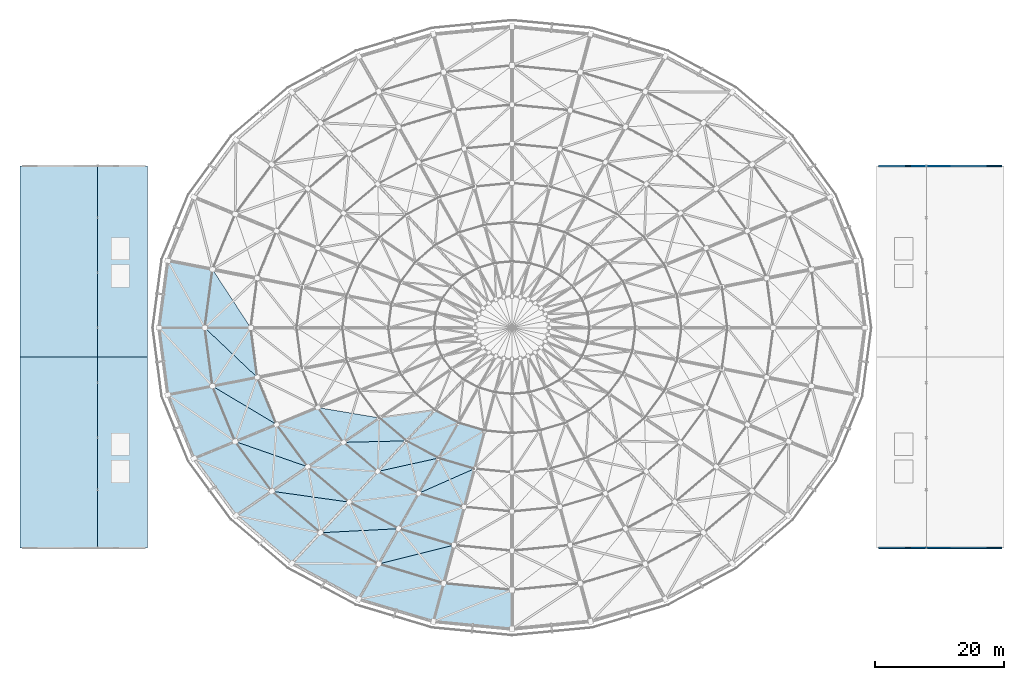
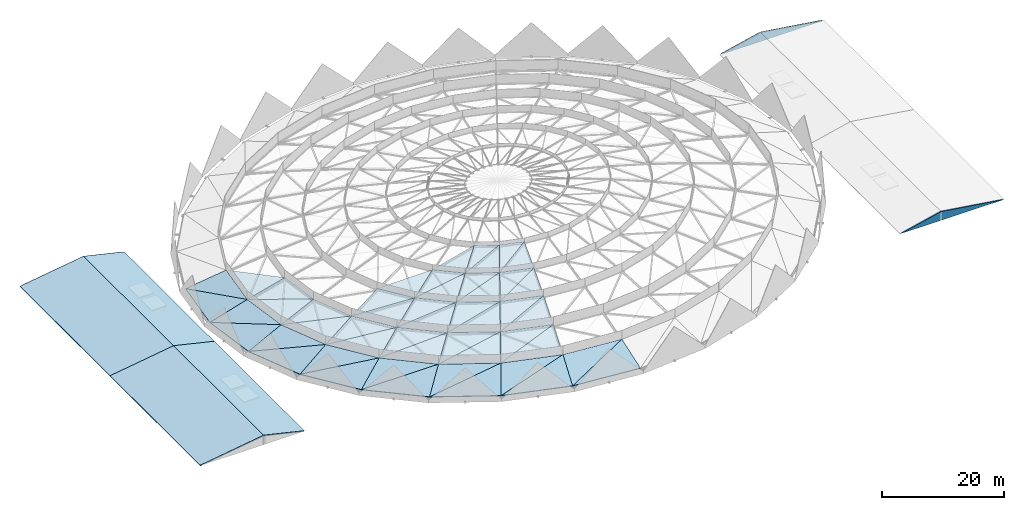
# One storey, part 18 of 27: 53 roofs, 2 walls.
"""IFC4 building model written with IfcOpenShell, lengths in metres."""

import ifcopenshell
import ifcopenshell.guid

model = None  # the IFC model being written
_history = None  # IfcOwnerHistory: only IFC2X3 demands one
_inside = {}  # id of a spatial element -> (the spatial element, [elements in it])
_under = {}  # id of a project, library or spatial element -> (it, [spatial elements below it])
_declared = {}  # id of a project -> (the project, [libraries it declares])
_typed = {}  # id of a type object -> (the type object, [elements of that type])
_made_of = {}  # id of a material, layer set ... -> (it, [elements and type objects made of it])


def new_model(schema):
    """Start an empty IFC model of exactly this schema.

    Asked for "IFC4X3", IfcOpenShell would pick the latest addendum, in which some entities
    have other attributes; the version numbers below select the first issue.
    IFC2X3 requires an IfcOwnerHistory on every rooted entity: one is made here for all.
    """
    global model, _history
    if schema == "IFC4X3":
        model = ifcopenshell.file(schema_version=(4, 3, 0, 0))
    else:
        model = ifcopenshell.file(schema=schema)
    _inside.clear()
    _under.clear()
    _declared.clear()
    _typed.clear()
    _made_of.clear()
    _history = None
    if model.schema == "IFC2X3":
        org = make("IfcOrganization", Name="unknown")
        user = make(
            "IfcPersonAndOrganization",
            ThePerson=make("IfcPerson", FamilyName="unknown"),
            TheOrganization=org,
        )
        app = make(
            "IfcApplication",
            ApplicationDeveloper=org,
            Version="unknown",
            ApplicationFullName="unknown",
            ApplicationIdentifier="unknown",
        )
        _history = make(
            "IfcOwnerHistory",
            OwningUser=user,
            OwningApplication=app,
            ChangeAction="ADDED",
            CreationDate=0,
        )
    return model


def make(cls, **values):
    """One entity of the class cls with the attributes given. An attribute that is None is left unset."""
    return model.create_entity(
        cls, **{name: value for name, value in values.items() if value is not None}
    )


def rooted(cls, **values):
    """An entity with a GlobalId (a new one), such as an element, a storey or a relation."""
    return make(cls, GlobalId=ifcopenshell.guid.new(), OwnerHistory=_history, **values)


def si_unit(unit_type, name, prefix=None):
    """IfcSIUnit, for example si_unit("LENGTHUNIT", "METRE", prefix="MILLI")."""
    return make("IfcSIUnit", UnitType=unit_type, Prefix=prefix, Name=name)


def assignment(units):
    """IfcUnitAssignment: the units of a project."""
    return None if units is None else make("IfcUnitAssignment", Units=units)


def point(xyz):
    """IfcCartesianPoint."""
    return None if xyz is None else make("IfcCartesianPoint", Coordinates=xyz)


def direction(xyz):
    """IfcDirection."""
    return None if xyz is None else make("IfcDirection", DirectionRatios=xyz)


def frame(location, z_axis=None, x_axis=None):
    """IfcAxis2Placement3D, a coordinate frame: its origin and axes. An axis left out is left unset."""
    return make(
        "IfcAxis2Placement3D",
        Location=point(location),
        Axis=direction(z_axis),
        RefDirection=direction(x_axis),
    )


def origin():
    """The frame at (0, 0, 0) with its axes left unset."""
    return frame((0.0, 0.0, 0.0))


def place(relative_to, where):
    """IfcLocalPlacement: puts the frame where relative to a parent placement (None: the world)."""
    return make(
        "IfcLocalPlacement", PlacementRelTo=relative_to, RelativePlacement=where
    )


def context(
    kind, dimensions, precision=None, world=None, true_north=None, identifier=None
):
    """IfcGeometricRepresentationContext, for example the 3D "Model" context."""
    return make(
        "IfcGeometricRepresentationContext",
        ContextIdentifier=identifier,
        ContextType=kind,
        CoordinateSpaceDimension=dimensions,
        Precision=precision,
        WorldCoordinateSystem=world,
        TrueNorth=true_north,
    )


def subcontext(parent, identifier, kind, view, scale=None):
    """IfcGeometricRepresentationSubContext, for example "Body" below "Model"."""
    return make(
        "IfcGeometricRepresentationSubContext",
        ContextIdentifier=identifier,
        ContextType=kind,
        ParentContext=parent,
        TargetScale=scale,
        TargetView=view,
    )


def project(units=None, contexts=None):
    """IfcProject with its units and contexts."""
    return rooted(
        "IfcProject",
        Name="project",
        RepresentationContexts=contexts,
        UnitsInContext=assignment(units),
    )


def spatial(cls, under=None, at=None, **own):
    """A site, building, storey or space (cls), placed at a placement, below another one or the project."""
    s = rooted(cls, ObjectPlacement=at, **own)
    if under is not None:
        _under.setdefault(under.id(), (under, []))[1].append(s)
    return s


def polyline(points):
    """IfcPolyline through the points."""
    return make("IfcPolyline", Points=[point(p) for p in points])


def outline(outer, holes=None, kind="AREA"):
    """IfcArbitraryClosedProfileDef: a profile drawn as a closed curve; with holes, ...WithVoids."""
    if holes is None:
        return make("IfcArbitraryClosedProfileDef", ProfileType=kind, OuterCurve=outer)
    return make(
        "IfcArbitraryProfileDefWithVoids",
        ProfileType=kind,
        OuterCurve=outer,
        InnerCurves=holes,
    )


def extrude(swept, where, along, depth):
    """IfcExtrudedAreaSolid: the profile swept, set in the frame where, extruded along a direction by depth."""
    return make(
        "IfcExtrudedAreaSolid",
        SweptArea=swept,
        Position=where,
        ExtrudedDirection=direction(along),
        Depth=depth,
    )


def shape(context_of_items, identifier, shape_type, items):
    """IfcShapeRepresentation: the items that make up one representation, for example the "Body"."""
    return make(
        "IfcShapeRepresentation",
        ContextOfItems=context_of_items,
        RepresentationIdentifier=identifier,
        RepresentationType=shape_type,
        Items=items,
    )


def material(Name=None, Category=None):
    """IfcMaterial."""
    return make("IfcMaterial", Name=Name, Category=Category)


def layer(
    of_material, thickness, ventilated=None, Name=None, Category=None, Priority=None
):
    """IfcMaterialLayer: one layer of a wall or slab, of a material (None: an air gap)."""
    return make(
        "IfcMaterialLayer",
        Material=of_material,
        LayerThickness=thickness,
        IsVentilated=ventilated,
        Name=Name,
        Category=Category,
        Priority=Priority,
    )


def layer_set(layers, Name=None):
    """IfcMaterialLayerSet."""
    return make("IfcMaterialLayerSet", MaterialLayers=layers, LayerSetName=Name)


def made_of(thing, what):
    """Note that an element or type object is made of a material, layer set ...; save() writes the relation."""
    if what is not None:
        _made_of.setdefault(what.id(), (what, []))[1].append(thing)
    return thing


def type_object(cls, material=None, **own):
    """A type object (cls), such as IfcWallType, which elements share."""
    return made_of(rooted(cls, **own), material)


def element(
    cls,
    number,
    at=None,
    inside=None,
    cuts=None,
    type_object=None,
    material=None,
    context=None,
    identifier="Body",
    shape_type=None,
    held_by="IfcProductDefinitionShape",
    body=None,
    shapes=None,
    **own,
):
    """One element of the class cls, such as IfcWall. Its Tag is "e" and its number.

    at: its placement. inside: the storey or other place that contains it. cuts: it is an
    opening in that element (IfcRelVoidsElement). A single representation is given by context,
    identifier, shape_type and body (its items); several are given by shapes. held_by: the class
    of the entity that holds the representations. save() writes the other relations.
    """
    e = rooted(cls, Tag="e%d" % number, ObjectPlacement=at, **own)
    if body is not None:
        shapes = [shape(context, identifier, shape_type, body)]
    if shapes is not None:
        e.Representation = make(held_by, Representations=shapes)
    if inside is not None:
        _inside.setdefault(inside.id(), (inside, []))[1].append(e)
    if cuts is not None:
        rooted(
            "IfcRelVoidsElement", RelatingBuildingElement=cuts, RelatedOpeningElement=e
        )
    if type_object is not None:
        _typed.setdefault(type_object.id(), (type_object, []))[1].append(e)
    return made_of(e, material)


def aggregate(whole, parts):
    """IfcRelAggregates: a whole, such as a stair, and the parts it consists of."""
    return rooted("IfcRelAggregates", RelatingObject=whole, RelatedObjects=parts)


def save(model, path):
    """Write the relations noted so far, then the file.

    IfcRelAggregates (storeys below a building ...), IfcRelContainedInSpatialStructure (elements
    in a storey), IfcRelDefinesByType, IfcRelAssociatesMaterial and IfcRelDeclares: one each for
    every whole, place, type object, material and project.
    """
    for whole, parts in _under.values():
        aggregate(whole, parts)
    for where, things in _inside.values():
        rooted(
            "IfcRelContainedInSpatialStructure",
            RelatedElements=things,
            RelatingStructure=where,
        )
    for kind, things in _typed.values():
        rooted("IfcRelDefinesByType", RelatedObjects=things, RelatingType=kind)
    for what, things in _made_of.values():
        rooted("IfcRelAssociatesMaterial", RelatedObjects=things, RelatingMaterial=what)
    for by, libraries in _declared.values():
        rooted("IfcRelDeclares", RelatingContext=by, RelatedDefinitions=libraries)
    model.write(path)


model = new_model("IFC4")

# Units and contexts
model_context = context("Model", 3, precision=1e-05, world=origin(), true_north=direction((0.0, 1.0)))
body_context = subcontext(model_context, "Body", "Model", "MODEL_VIEW")
ifc_project = project(units=[si_unit("LENGTHUNIT", "METRE"), si_unit("AREAUNIT", "SQUARE_METRE"), si_unit("VOLUMEUNIT", "CUBIC_METRE"), si_unit("PLANEANGLEUNIT", "RADIAN"), si_unit("MASSUNIT", "GRAM", prefix="KILO")], contexts=[model_context])

# Site, building, storey
site_placement = place(None, origin())
site = spatial("IfcSite", under=ifc_project, at=site_placement, CompositionType="ELEMENT")
building_placement = place(site_placement, origin())
building = spatial("IfcBuilding", under=site, at=building_placement, Name="Cuetzalor Civic Arena", CompositionType="ELEMENT")
storey_placement = place(building_placement, frame((0.0, 0.0, 31.800048828125)))
storey = spatial("IfcBuildingStorey", under=building, at=storey_placement, Name="Roof", CompositionType="ELEMENT", Elevation=31.800048828125)

# Walls
ifc_material_1 = material(Name="Insulated bronze aluminium panel wall", Category="aluminium")
ifc_layer_1 = layer(ifc_material_1, 0.260009765625)
ifc_layer_set_1 = layer_set([ifc_layer_1], Name="Insulated bronze aluminium panel wall")
wall_type = type_object("IfcWallType", Name="MediaClerestoryWall_260", PredefinedType="SOLIDWALL", material=ifc_layer_set_1)
wall_1_placement = place(storey_placement, frame((75.64990234375, -34.0, 0.0), z_axis=(0.0, 0.0, 1.0), x_axis=(-1.0, 0.0, 0.0)))
element("IfcWall", 1, at=wall_1_placement, inside=storey, type_object=wall_type, Name="V4E Sloped Zinc Roof Gable Wall S", PredefinedType="SOLIDWALL", context=body_context, shape_type="SweptSolid", body=[
    extrude(outline(polyline([(0.0, 0.0), (19.0, 0.0), (19.0, 0.050048828125), (11.64990234375, 1.75), (0.0, 0.050048828125), (0.0, 0.0)])), frame((0.0, 0.1298828125, 0.0), z_axis=(0.0, -1.0, 0.0), x_axis=(1.0, 0.0, 0.0)), (0.0, 0.0, 1.0), 0.260009765625),
])
wall_2_placement = place(storey_placement, frame((56.64990234375, 25.0, 0.0), z_axis=(0.0, 0.0, 1.0), x_axis=(1.0, 0.0, 0.0)))
element("IfcWall", 2, at=wall_2_placement, inside=storey, type_object=wall_type, Name="V4E Sloped Zinc Roof Gable Wall N", PredefinedType="SOLIDWALL", context=body_context, shape_type="SweptSolid", body=[
    extrude(outline(polyline([(0.0, 0.0), (19.0, 0.0), (19.0, 0.050048828125), (7.35009765625, 1.75), (0.0, 0.050048828125), (0.0, 0.0)])), frame((0.0, 0.1298828125, 0.0), z_axis=(0.0, -1.0, 0.0), x_axis=(1.0, 0.0, 0.0)), (0.0, 0.0, 1.0), 0.260009765625),
])

# Roofs
ifc_material_2 = material(Name="Standing-seam acoustic zinc and steel deck", Category="steel")
ifc_layer_2 = layer(ifc_material_2, 0.179931640625)
ifc_layer_set_2 = layer_set([ifc_layer_2], Name="Standing-seam acoustic zinc and steel deck")
roof_type_1 = type_object("IfcRoofType", Name="ArenaDomeRoof_StandingSeam", PredefinedType="DOME_ROOF", material=ifc_layer_set_2)
roof_1_placement = place(storey_placement, frame((-53.182373046875, 10.3583984375, 0.4150390625), z_axis=(-0.285083534376, 0.037641132261, 0.957763292045), x_axis=(-0.13089937041, -0.99139566008, 0.0)))
element("IfcRoof", 3, at=roof_1_placement, inside=storey, type_object=roof_type_1, Name="Arena Space-Frame Dome Shell Panel R1-S14A", PredefinedType="DOME_ROOF", context=body_context, shape_type="SweptSolid", body=[
    extrude(outline(polyline([(0.0, 0.0), (10.448299155011798, 2.220446049250313e-16), (9.52001936685034, 7.340576385085506), (0.0, 0.0)])), origin(), (0.0, 0.0, -1.0), 0.179931640625),
])
roof_2_placement = place(storey_placement, frame((-53.182373046875, 10.3583984375, 0.4150390625), z_axis=(-0.285080326458, 0.037643083852, 0.957764170193), x_axis=(0.476139356121, -0.861660934165, 0.175589715207)))
element("IfcRoof", 4, at=roof_2_placement, inside=storey, type_object=roof_type_1, Name="Arena Space-Frame Dome Shell Panel R1-S14B", PredefinedType="DOME_ROOF", context=body_context, shape_type="SweptSolid", body=[
    extrude(outline(polyline([(0.0, 0.0), (12.021432128098567, -1.1102230246251565e-16), (4.822964066533819, 5.550593927323634), (0.0, 0.0)])), origin(), (0.0, 0.0, -1.0), 0.179931640625),
])
roof_3_placement = place(storey_placement, frame((-54.550048828125, 0.0, 0.4150390625), z_axis=(-0.285080765685, -0.037640766696, 0.957764130524), x_axis=(0.13089937041, -0.99139566008, 0.0)))
element("IfcRoof", 5, at=roof_3_placement, inside=storey, type_object=roof_type_1, Name="Arena Space-Frame Dome Shell Panel R1-S15A", PredefinedType="DOME_ROOF", context=body_context, shape_type="SweptSolid", body=[
    extrude(outline(polyline([(0.0, 0.0), (10.448299155011798, 2.220446049250313e-16), (10.018221227679604, 7.340647676434287), (0.0, 0.0)])), origin(), (0.0, 0.0, -1.0), 0.179931640625),
])
roof_4_placement = place(storey_placement, frame((-54.550048828125, 0.0, 0.4150390625), z_axis=(-0.285083508888, -0.037643504072, 0.957763206415), x_axis=(0.666801092619, -0.72559659004, 0.169958499065)))
element("IfcRoof", 6, at=roof_4_placement, inside=storey, type_object=roof_type_1, Name="Arena Space-Frame Dome Shell Panel R1-S15B", PredefinedType="DOME_ROOF", context=body_context, shape_type="SweptSolid", body=[
    extrude(outline(polyline([(0.0, 0.0), (12.419736908496503, 1.1102230246251565e-16), (5.087410283256249, 5.372524698891819), (0.0, 0.0)])), origin(), (0.0, 0.0, -1.0), 0.179931640625),
])
roof_5_placement = place(storey_placement, frame((-53.182373046875, -10.3583984375, 0.4150390625), z_axis=(-0.270382293765, -0.11087015892, 0.956347856734), x_axis=(0.379392590278, -0.925235787485, 0.0)))
element("IfcRoof", 7, at=roof_5_placement, inside=storey, type_object=roof_type_1, Name="Arena Space-Frame Dome Shell Panel R1-S16A", PredefinedType="DOME_ROOF", context=body_context, shape_type="SweptSolid", body=[
    extrude(outline(polyline([(0.0, 0.0), (10.63390253661406, 0.0), (10.628573578058255, 7.223196970066199), (0.0, 0.0)])), origin(), (0.0, 0.0, -1.0), 0.179931640625),
])
roof_6_placement = place(storey_placement, frame((-53.182373046875, -10.3583984375, 0.4150390625), z_axis=(-0.270383939537, -0.110872761722, 0.956347089685), x_axis=(0.811147041502, -0.561301745858, 0.164258415796)))
element("IfcRoof", 8, at=roof_6_placement, inside=storey, type_object=roof_type_1, Name="Arena Space-Frame Dome Shell Panel R1-S16B", PredefinedType="DOME_ROOF", context=body_context, shape_type="SweptSolid", body=[
    extrude(outline(polyline([(0.0, 0.0), (12.85072569050369, 9.992007221626409e-16), (5.198952856713812, 5.200092742133137), (0.0, 0.0)])), origin(), (0.0, 0.0, -1.0), 0.179931640625),
])
roof_7_placement = place(storey_placement, frame((-49.14794921875, -20.197265625, 0.4150390625), z_axis=(-0.241912068226, -0.178128437048, 0.953807533605), x_axis=(0.59293459696, -0.805250621687, 0.0)))
element("IfcRoof", 9, at=roof_7_placement, inside=storey, type_object=roof_type_1, Name="Arena Space-Frame Dome Shell Panel R1-S17A", PredefinedType="DOME_ROOF", context=body_context, shape_type="SweptSolid", body=[
    extrude(outline(polyline([(0.0, 0.0), (10.960776232010911, 0.0), (11.210093026302204, 7.026334440148478), (0.0, 0.0)])), origin(), (0.0, 0.0, -1.0), 0.179931640625),
])
roof_8_placement = place(storey_placement, frame((-49.14794921875, -20.197265625, 0.4150390625), z_axis=(-0.241908309468, -0.178118288843, 0.953810382094), x_axis=(0.910307292041, -0.38194892217, 0.159548283945)))
element("IfcRoof", 10, at=roof_8_placement, inside=storey, type_object=roof_type_1, Name="Arena Space-Frame Dome Shell Panel R1-S17B", PredefinedType="DOME_ROOF", context=body_context, shape_type="SweptSolid", body=[
    extrude(outline(polyline([(0.0, 0.0), (13.230100578724482, -3.3306690738754696e-16), (5.150206529553152, 5.064580492905693), (0.0, 0.0)])), origin(), (0.0, 0.0, -1.0), 0.179931640625),
])
roof_9_placement = place(storey_placement, frame((-42.64892578125, -29.0234375, 0.4150390625), z_axis=(-0.201359462712, -0.23596092979, 0.950671765853), x_axis=(0.760676878001, -0.649130716632, 0.0)))
element("IfcRoof", 11, at=roof_9_placement, inside=storey, type_object=roof_type_1, Name="Arena Space-Frame Dome Shell Panel R1-S18A", PredefinedType="DOME_ROOF", context=body_context, shape_type="SweptSolid", body=[
    extrude(outline(polyline([(0.0, 0.0), (11.35495428042528, 8.881784197001252e-16), (11.647218630977434, 6.804800539375681), (0.0, 0.0)])), origin(), (0.0, 0.0, -1.0), 0.179931640625),
])
roof_10_placement = place(storey_placement, frame((-42.64892578125, -29.0234375, 0.4150390625), z_axis=(-0.20136015288, -0.23596533563, 0.950670526109), x_axis=(0.968101941657, -0.195683645414, 0.156481760844)))
element("IfcRoof", 12, at=roof_10_placement, inside=storey, type_object=roof_type_1, Name="Arena Space-Frame Dome Shell Panel R1-S18B", PredefinedType="DOME_ROOF", context=body_context, shape_type="SweptSolid", body=[
    extrude(outline(polyline([(0.0, 0.0), (13.489366635186226, 7.771561172376096e-16), (4.959580406022386, 4.983382056889791), (0.0, 0.0)])), origin(), (0.0, 0.0, -1.0), 0.179931640625),
])
roof_11_placement = place(storey_placement, frame((-34.011474609375, -36.394287109375, 0.4150390625), z_axis=(-0.151006616428, -0.281625079459, 0.947567578811), x_axis=(0.881302704338, -0.472552159371, 0.0)))
element("IfcRoof", 13, at=roof_11_placement, inside=storey, type_object=roof_type_1, Name="Arena Space-Frame Dome Shell Panel R1-S19A", PredefinedType="DOME_ROOF", context=body_context, shape_type="SweptSolid", body=[
    extrude(outline(polyline([(0.0, 0.0), (11.736055644911866, 0.0), (11.871199836207012, 6.605551133073011), (0.0, 0.0)])), origin(), (0.0, 0.0, -1.0), 0.179931640625),
])
roof_12_placement = place(storey_placement, frame((-34.011474609375, -36.394287109375, 0.4150390625), z_axis=(-0.151006294052, -0.28163338629, 0.947565161286), x_axis=(0.987831194569, -0.006882901825, 0.155377465221)))
element("IfcRoof", 14, at=roof_12_placement, inside=storey, type_object=roof_type_1, Name="Arena Space-Frame Dome Shell Panel R1-S19B", PredefinedType="DOME_ROOF", context=body_context, shape_type="SweptSolid", body=[
    extrude(outline(polyline([(0.0, 0.0), (13.585237992865768, 0.0), (4.663237444988494, 4.96436756928296), (0.0, 0.0)])), origin(), (0.0, 0.0, -1.0), 0.179931640625),
])
roof_13_placement = place(storey_placement, frame((-23.66845703125, -41.940185546875, 0.4150390625), z_axis=(-0.093496868588, -0.313139253442, 0.945093722081), x_axis=(0.95820017042, -0.286098642791, 0.0)))
element("IfcRoof", 15, at=roof_13_placement, inside=storey, type_object=roof_type_1, Name="Arena Space-Frame Dome Shell Panel R1-S20A", PredefinedType="DOME_ROOF", context=body_context, shape_type="SweptSolid", body=[
    extrude(outline(polyline([(0.0, 0.0), (12.033006936139385, 4.440892098500626e-16), (11.857048439649862, 6.459129846469862), (0.0, 0.0)])), origin(), (0.0, 0.0, -1.0), 0.179931640625),
])
roof_14_placement = place(storey_placement, frame((-23.66845703125, -41.940185546875, 0.4150390625), z_axis=(-0.093501172981, -0.313121093345, 0.945099313064), x_axis=(0.970796636078, 0.181972384904, 0.156332794106)))
element("IfcRoof", 16, at=roof_14_placement, inside=storey, type_object=roof_type_1, Name="Arena Space-Frame Dome Shell Panel R1-S20B", PredefinedType="DOME_ROOF", context=body_context, shape_type="SweptSolid", body=[
    extrude(outline(polyline([(0.0, 0.0), (13.502220412723272, -4.440892098500626e-16), (4.309226712494882, 5.008206751363556), (0.0, 0.0)])), origin(), (0.0, 0.0, -1.0), 0.179931640625),
])
roof_15_placement = place(storey_placement, frame((-12.138427734375, -45.3828125, 0.4150390625), z_axis=(-0.031654643714, -0.329185783482, 0.943734445427), x_axis=(0.995408405496, -0.095718891906, 0.0)))
element("IfcRoof", 17, at=roof_15_placement, inside=storey, type_object=roof_type_1, Name="Arena Space-Frame Dome Shell Panel R1-S21A", PredefinedType="DOME_ROOF", context=body_context, shape_type="SweptSolid", body=[
    extrude(outline(polyline([(0.0, 0.0), (12.194419564224404, -2.220446049250313e-16), (11.615175381198226, 6.382862895541695), (0.0, 0.0)])), origin(), (0.0, 0.0, -1.0), 0.179931640625),
])
roof_16_placement = place(storey_placement, frame((-12.138427734375, -45.3828125, 0.4150390625), z_axis=(-0.031651400381, -0.329192828776, 0.943732096697), x_axis=(0.915871104292, 0.368529481938, 0.159267514787)))
element("IfcRoof", 18, at=roof_16_placement, inside=storey, type_object=roof_type_1, Name="Arena Space-Frame Dome Shell Panel R1-S21B", PredefinedType="DOME_ROOF", context=body_context, shape_type="SweptSolid", body=[
    extrude(outline(polyline([(0.0, 0.0), (13.253423628605415, -1.1102230246251565e-16), (3.955521682350998, 5.1093216757702535), (0.0, 0.0)])), origin(), (0.0, 0.0, -1.0), 0.179931640625),
])
roof_17_placement = place(storey_placement, frame((-46.2685546875, 9.01171875, 2.52587890625), z_axis=(-0.257858759739, 0.034048645291, 0.965582492478), x_axis=(-0.130907488693, -0.991394588146, 0.0)))
element("IfcRoof", 19, at=roof_17_placement, inside=storey, type_object=roof_type_1, Name="Arena Space-Frame Dome Shell Panel R2-S14A", PredefinedType="DOME_ROOF", context=body_context, shape_type="SweptSolid", body=[
    extrude(outline(polyline([(0.0, 0.0), (9.08994143982291, 2.220446049250313e-16), (8.161604080434747, 7.28112518317007), (0.0, 0.0)])), origin(), (0.0, 0.0, -1.0), 0.179931640625),
])
roof_18_placement = place(storey_placement, frame((-47.45849609375, 0.0, 2.52587890625), z_axis=(-0.257865203788, -0.034049496187, 0.965580741567), x_axis=(0.130907488693, -0.991394588146, 0.0)))
element("IfcRoof", 20, at=roof_18_placement, inside=storey, type_object=roof_type_1, Name="Arena Space-Frame Dome Shell Panel R2-S15A", PredefinedType="DOME_ROOF", context=body_context, shape_type="SweptSolid", body=[
    extrude(outline(polyline([(0.0, 0.0), (9.08994143982291, -2.220446049250313e-16), (8.660131164230757, 7.280943227938003), (0.0, 0.0)])), origin(), (0.0, 0.0, -1.0), 0.179931640625),
])
roof_19_placement = place(storey_placement, frame((-47.45849609375, 0.0, 2.52587890625), z_axis=(-0.257858815873, -0.034042258553, 0.965582702677), x_axis=(0.71622836213, -0.677495236376, 0.167383206949)))
element("IfcRoof", 21, at=roof_19_placement, inside=storey, type_object=roof_type_1, Name="Arena Space-Frame Dome Shell Panel R2-S15B", PredefinedType="DOME_ROOF", context=body_context, shape_type="SweptSolid", body=[
    extrude(outline(polyline([(0.0, 0.0), (11.314150700345873, -3.3306690738754696e-16), (5.39616132106677, 4.975744887235689), (0.0, 0.0)])), origin(), (0.0, 0.0, -1.0), 0.179931640625),
])
roof_20_placement = place(storey_placement, frame((-46.2685546875, -9.01171875, 2.52587890625), z_axis=(-0.244637059632, -0.100315079614, 0.964411527231), x_axis=(0.379398237974, -0.925233471629, 0.0)))
element("IfcRoof", 22, at=roof_20_placement, inside=storey, type_object=roof_type_1, Name="Arena Space-Frame Dome Shell Panel R2-S16A", PredefinedType="DOME_ROOF", context=body_context, shape_type="SweptSolid", body=[
    extrude(outline(polyline([(0.0, 0.0), (9.251518363312615, 4.440892098500626e-16), (9.246364831546035, 7.162471895910765), (0.0, 0.0)])), origin(), (0.0, 0.0, -1.0), 0.179931640625),
])
roof_21_placement = place(storey_placement, frame((-46.2685546875, -9.01171875, 2.52587890625), z_axis=(-0.244638744517, -0.100318127781, 0.964410782768), x_axis=(0.846372720577, -0.507381106347, 0.161918593078)))
element("IfcRoof", 23, at=roof_21_placement, inside=storey, type_object=roof_type_1, Name="Arena Space-Frame Dome Shell Panel R2-S16B", PredefinedType="DOME_ROOF", context=body_context, shape_type="SweptSolid", body=[
    extrude(outline(polyline([(0.0, 0.0), (11.695993598568823, 0.0), (5.474945904859297, 4.818904284204584), (0.0, 0.0)])), origin(), (0.0, 0.0, -1.0), 0.179931640625),
])
roof_22_placement = place(storey_placement, frame((-42.758544921875, -17.571533203125, 2.52587890625), z_axis=(-0.218978898799, -0.161235249969, 0.962315663412), x_axis=(0.592918666159, -0.805262351858, 0.0)))
element("IfcRoof", 24, at=roof_22_placement, inside=storey, type_object=roof_type_1, Name="Arena Space-Frame Dome Shell Panel R2-S17A", PredefinedType="DOME_ROOF", context=body_context, shape_type="SweptSolid", body=[
    extrude(outline(polyline([(0.0, 0.0), (9.535966831682835, 0.0), (9.784809688573885, 6.964163700930357), (0.0, 0.0)])), origin(), (0.0, 0.0, -1.0), 0.179931640625),
])
roof_23_placement = place(storey_placement, frame((-42.758544921875, -17.571533203125, 2.52587890625), z_axis=(-0.218980106918, -0.161239165149, 0.962314732505), x_axis=(0.932403451859, -0.325206907274, 0.157684084243)))
element("IfcRoof", 25, at=roof_23_placement, inside=storey, type_object=roof_type_1, Name="Arena Space-Frame Dome Shell Panel R2-S17B", PredefinedType="DOME_ROOF", context=body_context, shape_type="SweptSolid", body=[
    extrude(outline(polyline([(0.0, 0.0), (12.01008229343019, -2.220446049250313e-16), (5.402069994089722, 4.70304901075427), (0.0, 0.0)])), origin(), (0.0, 0.0, -1.0), 0.179931640625),
])
roof_24_placement = place(storey_placement, frame((-37.1044921875, -25.25048828125, 2.52587890625), z_axis=(-0.182372735597, -0.213714794855, 0.95972192419), x_axis=(0.760681764148, -0.649124990809, 0.0)))
element("IfcRoof", 26, at=roof_24_placement, inside=storey, type_object=roof_type_1, Name="Arena Space-Frame Dome Shell Panel R2-S18A", PredefinedType="DOME_ROOF", context=body_context, shape_type="SweptSolid", body=[
    extrude(outline(polyline([(0.0, 0.0), (9.878833425064123, 0.0), (10.170802279271895, 6.740657494005858), (0.0, 0.0)])), origin(), (0.0, 0.0, -1.0), 0.179931640625),
])
roof_25_placement = place(storey_placement, frame((-37.1044921875, -25.25048828125, 2.52587890625), z_axis=(-0.182373248052, -0.213719798006, 0.959720712674), x_axis=(0.978226571423, -0.137780081219, 0.155207680804)))
element("IfcRoof", 27, at=roof_25_placement, inside=storey, type_object=roof_type_1, Name="Arena Space-Frame Dome Shell Panel R2-S18B", PredefinedType="DOME_ROOF", context=body_context, shape_type="SweptSolid", body=[
    extrude(outline(polyline([(0.0, 0.0), (12.201708177773297, 3.3306690738754696e-16), (5.197534676563315, 4.641888851179399), (0.0, 0.0)])), origin(), (0.0, 0.0, -1.0), 0.179931640625),
])
roof_26_placement = place(storey_placement, frame((-29.58984375, -31.6630859375, 2.52587890625), z_axis=(-0.136850652014, -0.255232490704, 0.957145900442), x_axis=(0.881308929079, -0.472540550139, 0.0)))
element("IfcRoof", 28, at=roof_26_placement, inside=storey, type_object=roof_type_1, Name="Arena Space-Frame Dome Shell Panel R2-S19A", PredefinedType="DOME_ROOF", context=body_context, shape_type="SweptSolid", body=[
    extrude(outline(polyline([(0.0, 0.0), (10.210143933327815, 0.0), (10.345485941991637, 6.53922160342957), (0.0, 0.0)])), origin(), (0.0, 0.0, -1.0), 0.179931640625),
])
roof_27_placement = place(storey_placement, frame((-29.58984375, -31.6630859375, 2.52587890625), z_axis=(-0.136851538381, -0.255222827379, 0.957148350481), x_axis=(0.986624807157, 0.051266189939, 0.154736122708)))
element("IfcRoof", 29, at=roof_27_placement, inside=storey, type_object=roof_type_1, Name="Arena Space-Frame Dome Shell Panel R2-S19B", PredefinedType="DOME_ROOF", context=body_context, shape_type="SweptSolid", body=[
    extrude(outline(polyline([(0.0, 0.0), (12.23889286474502, -5.551115123125783e-17), (4.89785208068542, 4.640339886155995), (0.0, 0.0)])), origin(), (0.0, 0.0, -1.0), 0.179931640625),
])
roof_28_placement = place(storey_placement, frame((-20.591552734375, -36.48779296875, 2.52587890625), z_axis=(-0.084775310932, -0.283899519134, 0.955099057529), x_axis=(0.95819201033, -0.286125971104, 0.0)))
element("IfcRoof", 30, at=roof_28_placement, inside=storey, type_object=roof_type_1, Name="Arena Space-Frame Dome Shell Panel R2-S20A", PredefinedType="DOME_ROOF", context=body_context, shape_type="SweptSolid", body=[
    extrude(outline(polyline([(0.0, 0.0), (10.468680338841297, 0.0), (10.29271181762074, 6.391778724452124), (0.0, 0.0)])), origin(), (0.0, 0.0, -1.0), 0.179931640625),
])
roof_29_placement = place(storey_placement, frame((-20.591552734375, -36.48779296875, 2.52587890625), z_axis=(-0.084771956999, -0.283910910704, 0.955095969047), x_axis=(0.958174132353, 0.239729924767, 0.156307054419)))
element("IfcRoof", 31, at=roof_29_placement, inside=storey, type_object=roof_type_1, Name="Arena Space-Frame Dome Shell Panel R2-S20B", PredefinedType="DOME_ROOF", context=body_context, shape_type="SweptSolid", body=[
    extrude(outline(polyline([(0.0, 0.0), (12.115888404196715, -1.6653345369377348e-16), (4.551267356217712, 4.69741440478655), (0.0, 0.0)])), origin(), (0.0, 0.0, -1.0), 0.179931640625),
])
roof_30_placement = place(storey_placement, frame((-36.369384765625, -14.946044921875, 4.419677734375), z_axis=(-0.193812782855, -0.142707991802, 0.970603438217), x_axis=(0.592925880885, -0.80525703957, 0.0)))
element("IfcRoof", 32, at=roof_30_placement, inside=storey, type_object=roof_type_1, Name="Arena Space-Frame Dome Shell Panel R3-S17A", PredefinedType="DOME_ROOF", context=body_context, shape_type="SweptSolid", body=[
    extrude(outline(polyline([(0.0, 0.0), (8.110764239317504, 0.0), (8.360008493564395, 6.9047493105629085), (0.0, 0.0)])), origin(), (0.0, 0.0, -1.0), 0.179931640625),
])
roof_31_placement = place(storey_placement, frame((-36.369384765625, -14.946044921875, 4.419677734375), z_axis=(-0.193812687687, -0.142707587297, 0.970603516694), x_axis=(0.954878809601, -0.254391171262, 0.153269667444)))
element("IfcRoof", 33, at=roof_31_placement, inside=storey, type_object=roof_type_1, Name="Arena Space-Frame Dome Shell Panel R3-S17B", PredefinedType="DOME_ROOF", context=body_context, shape_type="SweptSolid", body=[
    extrude(outline(polyline([(0.0, 0.0), (10.84275357343271, 3.3306690738754696e-16), (5.687624029940105, 4.2577655178239), (0.0, 0.0)])), origin(), (0.0, 0.0, -1.0), 0.179931640625),
])
roof_32_placement = place(storey_placement, frame((-31.560302734375, -21.477294921875, 4.419677734375), z_axis=(-0.161508749662, -0.189269082624, 0.968551567107), x_axis=(0.760688366944, -0.649117253195, 0.0)))
element("IfcRoof", 34, at=roof_32_placement, inside=storey, type_object=roof_type_1, Name="Arena Space-Frame Dome Shell Panel R3-S18A", PredefinedType="DOME_ROOF", context=body_context, shape_type="SweptSolid", body=[
    extrude(outline(polyline([(0.0, 0.0), (8.402712570459357, -8.881784197001252e-16), (8.6950914191066, 6.679176195566086), (0.0, 0.0)])), origin(), (0.0, 0.0, -1.0), 0.179931640625),
])
roof_33_placement = place(storey_placement, frame((-31.560302734375, -21.477294921875, 4.419677734375), z_axis=(-0.161508958194, -0.18927488791, 0.968550397878), x_axis=(0.98624358082, -0.065954427129, 0.151570488003)))
element("IfcRoof", 35, at=roof_33_placement, inside=storey, type_object=roof_type_1, Name="Arena Space-Frame Dome Shell Panel R3-S18B", PredefinedType="DOME_ROOF", context=body_context, shape_type="SweptSolid", body=[
    extrude(outline(polyline([(0.0, 0.0), (10.964306153972437, 5.551115123125783e-17), (5.471209061379637, 4.219426163197006), (0.0, 0.0)])), origin(), (0.0, 0.0, -1.0), 0.179931640625),
])
roof_34_placement = place(storey_placement, frame((-25.16845703125, -26.931640625, 4.419677734375), z_axis=(-0.121269710112, -0.226163320167, 0.966511153593), x_axis=(0.88130020339, -0.472556823572, 0.0)))
element("IfcRoof", 36, at=roof_34_placement, inside=storey, type_object=roof_type_1, Name="Arena Space-Frame Dome Shell Panel R3-S19A", PredefinedType="DOME_ROOF", context=body_context, shape_type="SweptSolid", body=[
    extrude(outline(polyline([(0.0, 0.0), (8.68467812024583, -4.440892098500626e-16), (8.819904555624657, 6.47586075398943), (0.0, 0.0)])), origin(), (0.0, 0.0, -1.0), 0.179931640625),
])
roof_35_placement = place(storey_placement, frame((-25.16845703125, -26.931640625, 4.419677734375), z_axis=(-0.12127053479, -0.226158126581, 0.966512265402), x_axis=(0.980689754576, 0.12320817293, 0.151879397525)))
element("IfcRoof", 37, at=roof_35_placement, inside=storey, type_object=roof_type_1, Name="Arena Space-Frame Dome Shell Panel R3-S19B", PredefinedType="DOME_ROOF", context=body_context, shape_type="SweptSolid", body=[
    extrude(outline(polyline([(0.0, 0.0), (10.942005706240018, 1.1102230246251565e-16), (5.171573825020129, 4.2369451512758145), (0.0, 0.0)])), origin(), (0.0, 0.0, -1.0), 0.179931640625),
])
roof_36_placement = place(storey_placement, frame((-17.5146484375, -31.03564453125, 4.419677734375), z_axis=(-0.075153208241, -0.251696628809, 0.964883828415), x_axis=(0.958198261041, -0.286105037598, 0.0)))
element("IfcRoof", 38, at=roof_36_placement, inside=storey, type_object=roof_type_1, Name="Arena Space-Frame Dome Shell Panel R3-S20A", PredefinedType="DOME_ROOF", context=body_context, shape_type="SweptSolid", body=[
    extrude(outline(polyline([(0.0, 0.0), (8.904447972211592, 4.440892098500626e-16), (8.728448735776274, 6.3266496067097435), (0.0, 0.0)])), origin(), (0.0, 0.0, -1.0), 0.179931640625),
])
roof_37_placement = place(storey_placement, frame((-17.5146484375, -31.03564453125, 4.419677734375), z_axis=(-0.075154759411, -0.251692433051, 0.964884802079), x_axis=(0.937842043541, 0.310945672836, 0.154159300437)))
element("IfcRoof", 39, at=roof_37_placement, inside=storey, type_object=roof_type_1, Name="Arena Space-Frame Dome Shell Panel R3-S20B", PredefinedType="DOME_ROOF", context=body_context, shape_type="SweptSolid", body=[
    extrude(outline(polyline([(0.0, 0.0), (10.78018147245931, -7.216449660063518e-16), (4.8371641598140975, 4.3077722299230015), (0.0, 0.0)])), origin(), (0.0, 0.0, -1.0), 0.179931640625),
])
roof_38_placement = place(storey_placement, frame((-29.980224609375, -12.3203125, 6.08154296875), z_axis=(-0.165890282167, -0.122147843913, 0.978550110372), x_axis=(0.592924979879, -0.805257702997, 0.0)))
element("IfcRoof", 40, at=roof_38_placement, inside=storey, type_object=roof_type_1, Name="Arena Space-Frame Dome Shell Panel R4-S17A", PredefinedType="DOME_ROOF", context=body_context, shape_type="SweptSolid", body=[
    extrude(outline(polyline([(0.0, 0.0), (6.686099596548087, -4.440892098500626e-16), (6.9353363521462, 6.848677066912551), (0.0, 0.0)])), origin(), (0.0, 0.0, -1.0), 0.179931640625),
])
roof_39_placement = place(storey_placement, frame((-26.015869140625, -17.704345703125, 6.08154296875), z_axis=(-0.1383192588, -0.162098514522, 0.977032166428), x_axis=(0.760697783839, -0.649106217551, 0.0)))
element("IfcRoof", 41, at=roof_39_placement, inside=storey, type_object=roof_type_1, Name="Arena Space-Frame Dome Shell Panel R4-S18A", PredefinedType="DOME_ROOF", context=body_context, shape_type="SweptSolid", body=[
    extrude(outline(polyline([(0.0, 0.0), (6.926591717094554, 4.440892098500626e-16), (7.218878698395609, 6.621034678241565), (0.0, 0.0)])), origin(), (0.0, 0.0, -1.0), 0.179931640625),
])
roof_40_placement = place(storey_placement, frame((-26.015869140625, -17.704345703125, 6.08154296875), z_axis=(-0.138319357797, -0.162096427721, 0.97703249863), x_axis=(0.989281400328, 0.02400176329, 0.144035503691)))
element("IfcRoof", 42, at=roof_40_placement, inside=storey, type_object=roof_type_1, Name="Arena Space-Frame Dome Shell Panel R4-S18B", PredefinedType="DOME_ROOF", context=body_context, shape_type="SweptSolid", body=[
    extrude(outline(polyline([(0.0, 0.0), (9.795422904225589, -8.326672684688674e-17), (5.778780524211913, 3.684045626778266), (0.0, 0.0)])), origin(), (0.0, 0.0, -1.0), 0.179931640625),
])
roof_41_placement = place(storey_placement, frame((-20.746826171875, -22.200439453125, 6.08154296875), z_axis=(-0.103914312912, -0.193790407322, 0.975524009752), x_axis=(0.881294345533, -0.472567748086, 0.0)))
element("IfcRoof", 43, at=roof_41_placement, inside=storey, type_object=roof_type_1, Name="Arena Space-Frame Dome Shell Panel R4-S19A", PredefinedType="DOME_ROOF", context=body_context, shape_type="SweptSolid", body=[
    extrude(outline(polyline([(0.0, 0.0), (7.158881777953771, 0.0), (7.293915254207941, 6.416252619936059), (0.0, 0.0)])), origin(), (0.0, 0.0, -1.0), 0.179931640625),
])
roof_42_placement = place(storey_placement, frame((-20.746826171875, -22.200439453125, 6.08154296875), z_axis=(-0.103911204794, -0.193803022057, 0.975521834794), x_axis=(0.966193466021, 0.213017448771, 0.145236884904)))
element("IfcRoof", 44, at=roof_42_placement, inside=storey, type_object=roof_type_1, Name="Arena Space-Frame Dome Shell Panel R4-S19B", PredefinedType="DOME_ROOF", context=body_context, shape_type="SweptSolid", body=[
    extrude(outline(polyline([(0.0, 0.0), (9.714396400106578, -2.498001805406602e-16), (5.484656437314487, 3.720494006787303), (0.0, 0.0)])), origin(), (0.0, 0.0, -1.0), 0.179931640625),
])
roof_43_placement = place(storey_placement, frame((-14.437744140625, -25.58349609375, 6.08154296875), z_axis=(-0.064426353343, -0.215763123354, 0.974317976636), x_axis=(0.958195334565, -0.286114838515, 0.0)))
element("IfcRoof", 45, at=roof_43_placement, inside=storey, type_object=roof_type_1, Name="Arena Space-Frame Dome Shell Panel R4-S20A", PredefinedType="DOME_ROOF", context=body_context, shape_type="SweptSolid", body=[
    extrude(outline(polyline([(0.0, 0.0), (7.340051523204487, 0.0), (7.164153929231064, 6.265699726468808), (0.0, 0.0)])), origin(), (0.0, 0.0, -1.0), 0.179931640625),
])
roof_44_placement = place(storey_placement, frame((-14.437744140625, -25.58349609375, 6.08154296875), z_axis=(-0.064426882518, -0.215762003219, 0.974318189698), x_axis=(0.904782441544, 0.399241152194, 0.148240466367)))
element("IfcRoof", 46, at=roof_44_placement, inside=storey, type_object=roof_type_1, Name="Arena Space-Frame Dome Shell Panel R4-S20B", PredefinedType="DOME_ROOF", context=body_context, shape_type="SweptSolid", body=[
    extrude(outline(polyline([(0.0, 0.0), (9.517567682133299, 0.0), (5.169899271938657, 3.8024562115235168), (0.0, 0.0)])), origin(), (0.0, 0.0, -1.0), 0.179931640625),
])
roof_45_placement = place(storey_placement, frame((-20.471435546875, -13.931396484375, 7.492431640625), z_axis=(-0.111965325272, -0.131212142279, 0.98501123834), x_axis=(0.760693428242, -0.649111321909, 0.0)))
element("IfcRoof", 47, at=roof_45_placement, inside=storey, type_object=roof_type_1, Name="Arena Space-Frame Dome Shell Panel R5-S18A", PredefinedType="DOME_ROOF", context=body_context, shape_type="SweptSolid", body=[
    extrude(outline(polyline([(0.0, 0.0), (5.450285147504302, 0.0), (5.742528721281653, 6.567403055944744), (0.0, 0.0)])), origin(), (0.0, 0.0, -1.0), 0.179931640625),
])
roof_46_placement = place(storey_placement, frame((-16.325439453125, -17.46923828125, 7.492431640625), z_axis=(-0.084156335353, -0.156958550803, 0.984013071331), x_axis=(0.881313042066, -0.472532879157, 0.0)))
element("IfcRoof", 48, at=roof_46_placement, inside=storey, type_object=roof_type_1, Name="Arena Space-Frame Dome Shell Panel R5-S19A", PredefinedType="DOME_ROOF", context=body_context, shape_type="SweptSolid", body=[
    extrude(outline(polyline([(0.0, 0.0), (5.6331852275050105, 0.0), (5.768581714769903, 6.3606756392740325), (0.0, 0.0)])), origin(), (0.0, 0.0, -1.0), 0.179931640625),
])
roof_47_placement = place(storey_placement, frame((-16.325439453125, -17.46923828125, 7.492431640625), z_axis=(-0.084154978675, -0.156962267143, 0.984012594562), x_axis=(0.936485875007, 0.324946780784, 0.131923445869)))
element("IfcRoof", 49, at=roof_47_placement, inside=storey, type_object=roof_type_1, Name="Arena Space-Frame Dome Shell Panel R5-S19B", PredefinedType="DOME_ROOF", context=body_context, shape_type="SweptSolid", body=[
    extrude(outline(polyline([(0.0, 0.0), (8.58689289487366, 2.7755575615628914e-16), (5.827399328619506, 3.0426314713503273), (0.0, 0.0)])), origin(), (0.0, 0.0, -1.0), 0.179931640625),
])
roof_48_placement = place(storey_placement, frame((-11.36083984375, -20.131103515625, 7.492431640625), z_axis=(-0.05220393127, -0.174828027474, 0.983214071487), x_axis=(0.958194283061, -0.286118359965, 0.0)))
element("IfcRoof", 50, at=roof_48_placement, inside=storey, type_object=roof_type_1, Name="Arena Space-Frame Dome Shell Panel R5-S20A", PredefinedType="DOME_ROOF", context=body_context, shape_type="SweptSolid", body=[
    extrude(outline(polyline([(0.0, 0.0), (5.77588900911004, 2.220446049250313e-16), (5.599804898484068, 6.208698210271088), (0.0, 0.0)])), origin(), (0.0, 0.0, -1.0), 0.179931640625),
])
roof_49_placement = place(storey_placement, frame((-11.36083984375, -20.131103515625, 7.492431640625), z_axis=(-0.0522068864, -0.174823262824, 0.983214761783), x_axis=(0.850655880594, 0.507964084128, 0.135488235822)))
element("IfcRoof", 51, at=roof_49_placement, inside=storey, type_object=roof_type_1, Name="Arena Space-Frame Dome Shell Panel R5-S20B", PredefinedType="DOME_ROOF", context=body_context, shape_type="SweptSolid", body=[
    extrude(outline(polyline([(0.0, 0.0), (8.360965755659425, -3.3306690738754696e-16), (5.540365088889813, 3.127440083939059), (0.0, 0.0)])), origin(), (0.0, 0.0, -1.0), 0.179931640625),
])
ifc_material_3 = material(Name="Standing-seam zinc roof assembly", Category="steel")
ifc_layer_3 = layer(ifc_material_3, 0.169921875)
ifc_layer_set_3 = layer_set([ifc_layer_3], Name="Standing-seam zinc roof assembly")
roof_type_2 = type_object("IfcRoofType", Name="CollarSlopedZincRoof", PredefinedType="GABLE_ROOF", material=ifc_layer_set_3)
roof_50_placement = place(storey_placement, frame((-76.0, -34.0, 0.0), z_axis=(-0.148344388372, 0.0, 0.988935762544), x_axis=(0.988935762544, 0.0, 0.148344388372)))
element("IfcRoof", 52, at=roof_50_placement, inside=storey, type_object=roof_type_2, Name="V4W Sloped Standing-Seam Zinc Roof Outer S", PredefinedType="GABLE_ROOF", context=body_context, shape_type="SweptSolid", body=[
    extrude(outline(polyline([(0.0, 0.0), (12.13425629297627, 0.0), (12.13425629297627, 29.500000000000007), (0.0, 29.500000000000007), (0.0, 0.0)])), origin(), (0.0, 0.0, -1.0), 0.169921875),
])
roof_51_placement = place(storey_placement, frame((-64.0, -34.0, 1.800048828125), z_axis=(0.227636590633, 0.0, 0.973746159225), x_axis=(0.973746159225, 0.0, -0.227636590633)))
element("IfcRoof", 53, at=roof_51_placement, inside=storey, type_object=roof_type_2, Name="V4W Sloped Standing-Seam Zinc Roof Inner S", PredefinedType="GABLE_ROOF", context=body_context, shape_type="SweptSolid", body=[
    extrude(outline(polyline([(0.0, 0.0), (7.907554858038822, 0.0), (7.907554858038822, 29.5), (0.0, 29.5), (0.0, 0.0)])), origin(), (0.0, 0.0, -1.0), 0.169921875),
])
roof_52_placement = place(storey_placement, frame((-76.0, -4.5, 0.0), z_axis=(-0.148344388372, 0.0, 0.988935762544), x_axis=(0.988935762544, 0.0, 0.148344388372)))
element("IfcRoof", 54, at=roof_52_placement, inside=storey, type_object=roof_type_2, Name="V4W Sloped Standing-Seam Zinc Roof Outer N", PredefinedType="GABLE_ROOF", context=body_context, shape_type="SweptSolid", body=[
    extrude(outline(polyline([(0.0, 0.0), (12.13425629297627, 0.0), (12.13425629297627, 29.500000000000007), (0.0, 29.500000000000007), (0.0, 0.0)])), origin(), (0.0, 0.0, -1.0), 0.169921875),
])
roof_53_placement = place(storey_placement, frame((-64.0, -4.5, 1.800048828125), z_axis=(0.227636590633, 0.0, 0.973746159225), x_axis=(0.973746159225, 0.0, -0.227636590633)))
element("IfcRoof", 55, at=roof_53_placement, inside=storey, type_object=roof_type_2, Name="V4W Sloped Standing-Seam Zinc Roof Inner N", PredefinedType="GABLE_ROOF", context=body_context, shape_type="SweptSolid", body=[
    extrude(outline(polyline([(0.0, 0.0), (7.907554858038822, 0.0), (7.907554858038822, 29.5), (0.0, 29.5), (0.0, 0.0)])), origin(), (0.0, 0.0, -1.0), 0.169921875),
])

save(model, "model.ifc")
